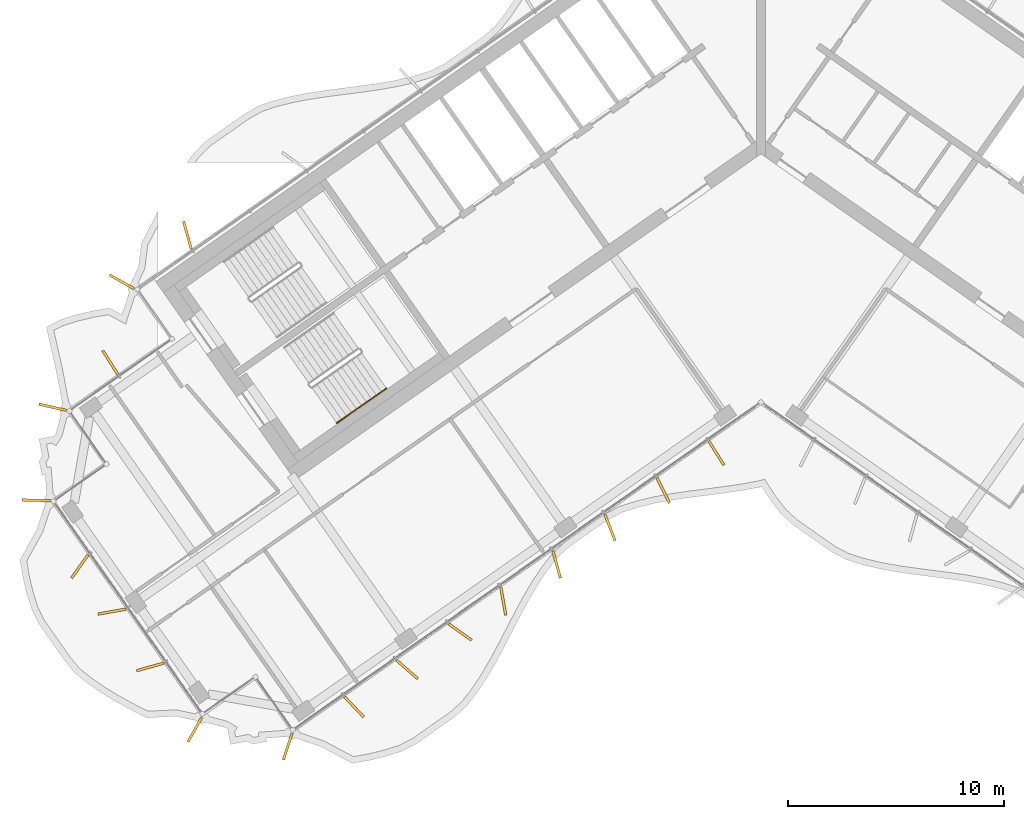
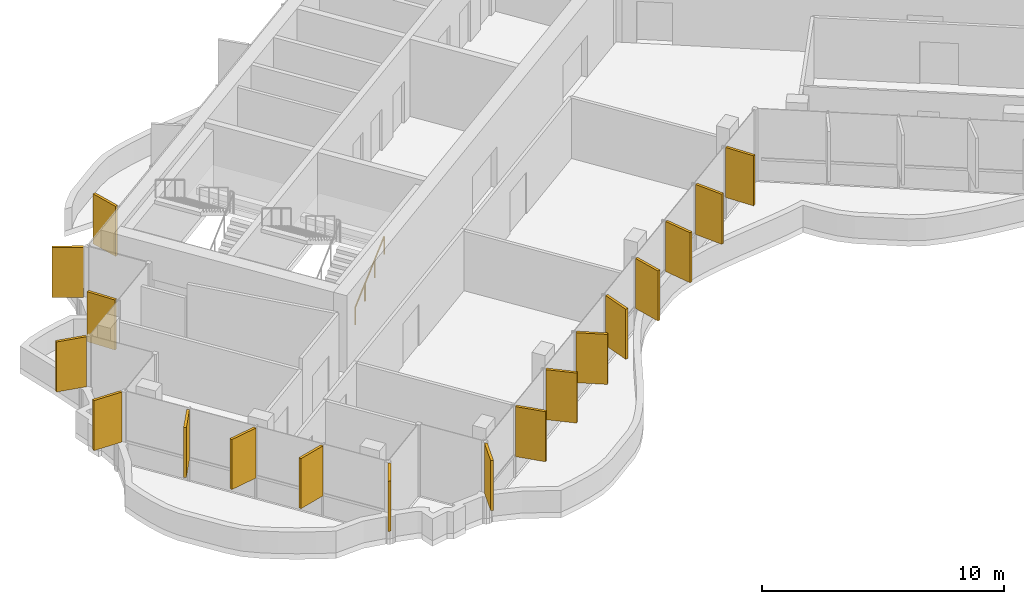
# One storey, part 14 of 18: 18 shading devices, 1 railing.
"""IFC4 building model written with IfcOpenShell, lengths in metres."""

from ifc_helpers import new_model, si_unit, direction, frame, origin, origin_2d, place, context, subcontext, project, spatial, rectangle, circle, extrude, material, layer, layer_set, type_object, element, save


model = new_model("IFC4")

# Units and contexts
model_context = context("Model", 3, precision=1e-05, world=origin(), true_north=direction((0.0, 1.0)))
body_context = subcontext(model_context, "Body", "Model", "MODEL_VIEW")
ifc_project = project(units=[si_unit("LENGTHUNIT", "METRE"), si_unit("AREAUNIT", "SQUARE_METRE"), si_unit("VOLUMEUNIT", "CUBIC_METRE"), si_unit("PLANEANGLEUNIT", "RADIAN"), si_unit("MASSUNIT", "GRAM", prefix="KILO")], contexts=[model_context])

# Site, building, storey
site_placement = place(None, origin())
site = spatial("IfcSite", under=ifc_project, at=site_placement, CompositionType="ELEMENT")
building_placement = place(site_placement, origin())
building = spatial("IfcBuilding", under=site, at=building_placement, Name="Tel Ilan Convention Tower", CompositionType="ELEMENT")
storey_placement = place(building_placement, frame((0.0, 0.0, 268.300048828125)))
storey = spatial("IfcBuildingStorey", under=building, at=storey_placement, Name="L63", CompositionType="ELEMENT", Elevation=268.300048828125)

# Shading devices
ifc_material_1 = material(Name="Aluminium, bronze anodised", Category="aluminium")
ifc_layer = layer(ifc_material_1, 0.1201171875)
ifc_layer_set = layer_set([ifc_layer], Name="FIN BRONZE 1300x120")
shading_device_type = type_object("IfcShadingDeviceType", Name="FIN BRONZE 1300x120", PredefinedType="USERDEFINED", material=ifc_layer_set)
for number, where, z_axis, x_axis, name in (
    (1, (-26.51171875, -4.9736328125, 1.099853515625), (0.0, 0.0, 1.0), (-0.268172612768, 0.963370878614, 0.0), "FIN"),
    (2, (-29.5439453125, -7.13623046875, 1.099853515625), (0.0, 0.0, 1.0), (-0.870832754082, 0.491579408049, 0.0), "FIN"),
    (3, (-30.076416015625, -10.8642578125, 1.099853515625), (0.0, 0.0, 1.0), (-0.533204432798, 0.845986425922, 0.0), "FIN"),
    (4, (-32.740234375, -12.935302734375, 1.099853515625), (0.0, 0.0, 1.0), (-0.975235208752, 0.221170268371, 0.0), "FIN"),
    (5, (-33.498291015625, -17.2373046875, 1.099853515625), (0.0, 0.0, 1.0), (-0.999576950082, 0.029084718749, 0.0), "FIN"),
    (6, (-31.485107421875, -20.2958984375, 1.099853515625), (0.0, 0.0, 1.0), (-0.581492071294, -0.813552070258, 0.0), "FIN"),
    (7, (-30.002197265625, -22.381591796875, 1.099853515625), (0.0, 0.0, 1.0), (-0.984807753012, -0.173648177667, 0.0), "FIN"),
    (8, (-28.234619140625, -24.938232421875, 1.099853515625), (0.0, 0.0, 1.0), (-0.963370878614, -0.268172612768, 0.0), "FIN"),
    (9, (-26.165771484375, -27.83642578125, 1.099853515625), (0.0, 0.0, 1.0), (-0.491579408049, -0.870832754082, 0.0), "FIN"),
    (10, (-21.87060546875, -28.613037109375, 1.099853515625), (0.0, 0.0, 1.0), (-0.314544756146, -0.949242643575, 0.0), "FIN"),
    (11, (-18.806884765625, -26.781982421875, 1.099853515625), (0.0, 0.0, 1.0), (0.686241637865, -0.727373641577, 0.0), "FIN"),
    (12, (-16.352783203125, -25.0556640625, 1.099853515625), (0.0, 0.0, 1.0), (0.753435896329, -0.657521368568, 0.0), "FIN"),
    (13, (-13.9033203125, -23.3251953125, 1.099853515625), (0.0, 0.0, 1.0), (0.813552070258, -0.581492071294, 0.0), "FIN"),
    (14, (-11.908935546875, -21.90625, 1.099853515625), (0.0, 0.0, 1.0), (0.173648177667, -0.984807753012, 0.0), "FIN"),
    (15, (-9.443359375, -20.202392578125, 1.099853515625), (0.0, 0.0, 1.0), (0.268172612768, -0.963370878614, 0.0), "FIN"),
    (16, (-6.9794921875, -18.492431640625, 1.099853515625), (0.0, 0.0, 1.0), (0.360177724803, -0.932883704733, 0.0), "FIN"),
    (17, (-4.51806640625, -16.77685546875, 1.099853515625), (0.0, 0.0, 1.0), (0.448799180206, -0.893632640321, 0.0), "FIN"),
    (18, (-2.059326171875, -15.055419921875, 1.099853515625), (0.0, 0.0, 1.0), (0.533204432798, -0.845986425922, 0.0), "FIN"),
):
    element("IfcShadingDevice", number, at=place(storey_placement, frame(where, z_axis=z_axis, x_axis=x_axis)), inside=storey, type_object=shading_device_type, Name=name, ObjectType="FIN", PredefinedType="USERDEFINED", context=body_context, shape_type="SweptSolid", body=[
        extrude(rectangle(XDim=1.300048828125, YDim=0.1201171875, at=origin_2d()), origin(), (0.0, 0.0, 1.0), 2.52001953125),
    ])

# Railing
ifc_material_2 = material(Name="Stainless Steel Grade 316", Category="steel")
railing_type = type_object("IfcRailingType", Name="Stainless Steel Stair Handrail 900 mm", PredefinedType="HANDRAIL", material=ifc_material_2)
railing_placement = place(storey_placement, frame((-19.6064453125, -13.66748046875, 0.17724609375)))
element("IfcRailing", 19, at=railing_placement, inside=storey, type_object=railing_type, Name="L63 S2 stair handrail 1", PredefinedType="HANDRAIL", context=body_context, shape_type="SweptSolid", body=[
    extrude(circle(Radius=0.02392578125, at=origin_2d()), frame((0.0, 0.0, 0.8759765625), z_axis=(0.692123088272, 0.484596665743, 0.534912798717), x_axis=(-0.573550118428, 0.819170471667, 0.0)), (0.0, 0.0, 1.0), 3.31396484375),
    extrude(circle(Radius=0.02099609375, at=origin_2d()), origin(), (0.0, 0.0, 1.0), 0.851806640625),
    extrude(circle(Radius=0.02099609375, at=origin_2d()), frame((0.7646484375, 0.535400390625, 0.5908203125)), (0.0, 0.0, 1.0), 0.851806640625),
    extrude(circle(Radius=0.02099609375, at=origin_2d()), frame((1.529052734375, 1.070556640625, 1.181884765625)), (0.0, 0.0, 1.0), 0.851806640625),
    extrude(circle(Radius=0.02099609375, at=origin_2d()), frame((2.293701171875, 1.60595703125, 1.772705078125)), (0.0, 0.0, 1.0), 0.851806640625),
])

save(model, "model.ifc")
